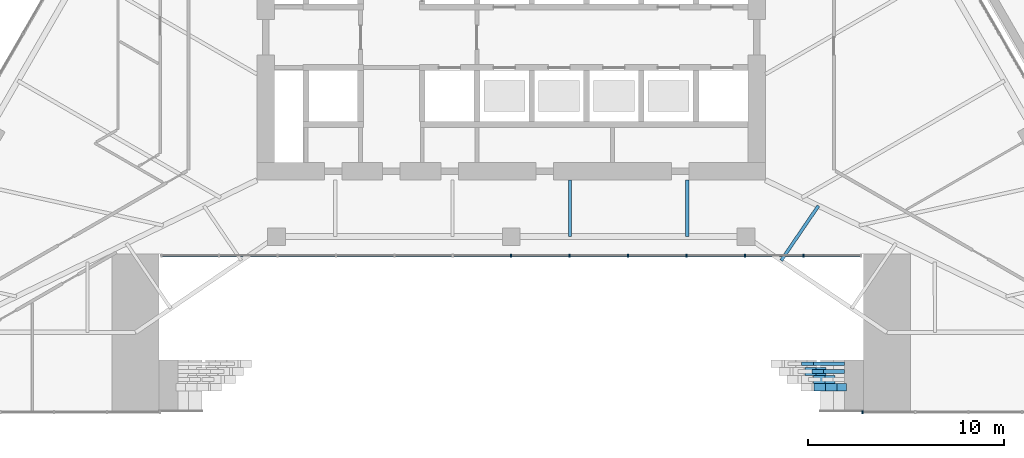
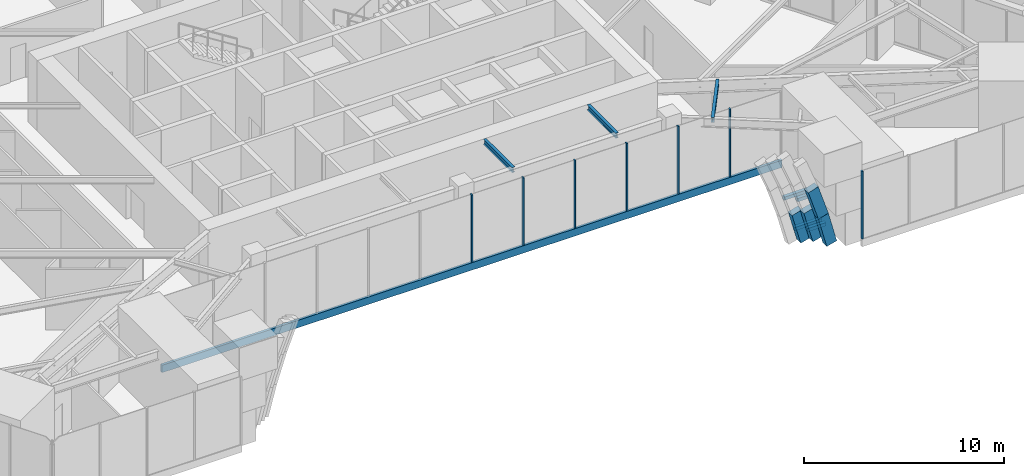
# One storey, part 6 of 29: 12 members, 7 beams, 2 elements without a shape of their own.
"""IFC4 building model written with IfcOpenShell, lengths in metres."""

from ifc_helpers import new_model, si_unit, direction, frame, origin, origin_2d, place, context, subcontext, project, spatial, rectangle, i_section, extrude, material, layer, layer_set, material_profile, profile_set, type_object, element, aggregate, save


model = new_model("IFC4")

# Units and contexts
model_context = context("Model", 3, precision=1e-05, world=origin(), true_north=direction((0.0, 1.0)))
body_context = subcontext(model_context, "Body", "Model", "MODEL_VIEW")
ifc_project = project(units=[si_unit("LENGTHUNIT", "METRE"), si_unit("AREAUNIT", "SQUARE_METRE"), si_unit("VOLUMEUNIT", "CUBIC_METRE"), si_unit("PLANEANGLEUNIT", "RADIAN"), si_unit("MASSUNIT", "GRAM", prefix="KILO")], contexts=[model_context])

# Site, building, storey
site_placement = place(None, origin())
site = spatial("IfcSite", under=ifc_project, at=site_placement, CompositionType="ELEMENT")
building_placement = place(site_placement, origin())
building = spatial("IfcBuilding", under=site, at=building_placement, Name="Firuza Gate Tower and Library", CompositionType="ELEMENT")
storey_placement = place(building_placement, frame((0.0, 0.0, 8.0)))
storey = spatial("IfcBuildingStorey", under=building, at=storey_placement, Name="L01", CompositionType="ELEMENT", Elevation=8.0)

# Members
ifc_material_1 = material(Name="Concrete C60/75", Category="concrete")
ifc_material_profile_1 = material_profile(ifc_material_1, rectangle(XDim=0.39990234375, YDim=0.60009765625, at=origin_2d()))
ifc_profile_set_1 = profile_set([ifc_material_profile_1], Name="Concrete C60/75")
member_type_1 = type_object("IfcMemberType", Name="Arch rib 600x400", PredefinedType="USERDEFINED", material=ifc_profile_set_1)
member_1_placement = place(storey_placement, frame((90.773193359375, 55.415283203125, 3.2431640625), z_axis=(0.306240860809, 0.0, -0.951954061481), x_axis=(0.0, 1.0, 0.0)))
element("IfcMember", 1, at=member_1_placement, inside=storey, type_object=member_type_1, Name="Arch rib 1.33", ObjectType="ARCH RIB", PredefinedType="USERDEFINED", context=body_context, shape_type="SweptSolid", body=[
    extrude(rectangle(XDim=0.39990234375, YDim=0.60009765625, at=origin_2d()), origin(), (0.0, 0.0, 1.0), 1.91015625),
])
member_2_placement = place(storey_placement, frame((91.358154296875, 55.415283203125, 1.4248046875), z_axis=(0.25181823539, 0.0, -0.967774548294), x_axis=(0.0, 1.0, 0.0)))
element("IfcMember", 2, at=member_2_placement, inside=storey, type_object=member_type_1, Name="Arch rib 1.34", ObjectType="ARCH RIB", PredefinedType="USERDEFINED", context=body_context, shape_type="SweptSolid", body=[
    extrude(rectangle(XDim=0.39990234375, YDim=0.60009765625, at=origin_2d()), origin(), (0.0, 0.0, 1.0), 1.909912109375),
])
member_3_placement = place(storey_placement, frame((90.750732421875, 55.8154296875, 1.730224609375), z_axis=(0.262991856839, 0.0, -0.964798053085), x_axis=(0.0, 1.0, 0.0)))
element("IfcMember", 3, at=member_3_placement, inside=storey, type_object=member_type_1, Name="Arch rib 2.32", ObjectType="ARCH RIB", PredefinedType="USERDEFINED", context=body_context, shape_type="SweptSolid", body=[
    extrude(rectangle(XDim=0.39990234375, YDim=0.60009765625, at=origin_2d()), origin(), (0.0, 0.0, 1.0), 1.974609375),
])
member_4_placement = place(storey_placement, frame((90.295166015625, 56.21533203125, 1.52734375), z_axis=(0.2604762875, 0.0, -0.965480245085), x_axis=(0.0, 1.0, 0.0)))
element("IfcMember", 4, at=member_4_placement, inside=storey, type_object=member_type_1, Name="Arch rib 3.32", ObjectType="ARCH RIB", PredefinedType="USERDEFINED", context=body_context, shape_type="SweptSolid", body=[
    extrude(rectangle(XDim=0.39990234375, YDim=0.60009765625, at=origin_2d()), origin(), (0.0, 0.0, 1.0), 1.9326171875),
])

# Beams
ifc_material_2 = material(Name="Concrete C60/75", Category="concrete")
ifc_material_profile_2 = material_profile(ifc_material_2, rectangle(XDim=0.199951171875, YDim=0.199951171875, at=origin_2d()))
ifc_profile_set_2 = profile_set([ifc_material_profile_2], Name="Concrete C60/75")
beam_type_1 = type_object("IfcBeamType", Name="Arch rib bracket 200x200", PredefinedType="BEAM", material=ifc_profile_set_2)
beam_1_placement = place(storey_placement, frame((91.4853515625, 56.21533203125, 2.18408203125), z_axis=(-1.0, 0.0, 0.0), x_axis=(0.0, -1.0, 0.0)))
element("IfcBeam", 5, at=beam_1_placement, inside=storey, type_object=beam_type_1, Name="Arch rib bracket 3.31", PredefinedType="BEAM", context=body_context, shape_type="SweptSolid", body=[
    extrude(rectangle(XDim=0.199951171875, YDim=0.199951171875, at=origin_2d()), origin(), (0.0, 0.0, 1.0), 1.10302734375),
])
beam_2_placement = place(storey_placement, frame((92.037109375, 56.21533203125, 0.15283203125), z_axis=(-1.0, 0.0, 0.0), x_axis=(0.0, -1.0, 0.0)))
element("IfcBeam", 6, at=beam_2_placement, inside=storey, type_object=beam_type_1, Name="Arch rib bracket 3.32", PredefinedType="BEAM", context=body_context, shape_type="SweptSolid", body=[
    extrude(rectangle(XDim=0.199951171875, YDim=0.199951171875, at=origin_2d()), origin(), (0.0, 0.0, 1.0), 1.0703125),
])
beam_3_placement = place(storey_placement, frame((91.4853515625, 56.615478515625, 2.222900390625), z_axis=(-1.0, 0.0, 0.0), x_axis=(0.0, -1.0, 0.0)))
element("IfcBeam", 7, at=beam_3_placement, inside=storey, type_object=beam_type_1, Name="Arch rib bracket 4.31", PredefinedType="BEAM", context=body_context, shape_type="SweptSolid", body=[
    extrude(rectangle(XDim=0.199951171875, YDim=0.199951171875, at=origin_2d()), origin(), (0.0, 0.0, 1.0), 1.6357421875),
])
beam_4_placement = place(storey_placement, frame((92.037109375, 56.615478515625, 0.15234375), z_axis=(-1.0, 0.0, 0.0), x_axis=(0.0, -1.0, 0.0)))
element("IfcBeam", 8, at=beam_4_placement, inside=storey, type_object=beam_type_1, Name="Arch rib bracket 4.32", PredefinedType="BEAM", context=body_context, shape_type="SweptSolid", body=[
    extrude(rectangle(XDim=0.199951171875, YDim=0.199951171875, at=origin_2d()), origin(), (0.0, 0.0, 1.0), 1.583984375),
])

# Curtain wall, members
ifc_material_3 = material(Name="Aluminium 6063-T6", Category="aluminium")
ifc_layer_1 = layer(ifc_material_3, 0.14990234375)
ifc_layer_set_1 = layer_set([ifc_layer_1], Name="Stick curtain wall, gate lobby")
curtain_wall_type_1 = type_object("IfcCurtainWallType", Name="Stick curtain wall, gate lobby", PredefinedType="NOTDEFINED", material=ifc_layer_set_1)
placement = place(storey_placement, origin())
curtain_wall_1 = element("IfcCurtainWall", 9, at=placement, inside=storey, type_object=curtain_wall_type_1, Name="CW7 L01 gate lobby", PredefinedType="NOTDEFINED")
ifc_material_4 = material(Name="Aluminium 6063-T6", Category="aluminium")
ifc_material_profile_3 = material_profile(ifc_material_4, rectangle(XDim=0.14990234375, YDim=0.080078125, at=origin_2d()))
ifc_profile_set_3 = profile_set([ifc_material_profile_3], Name="Aluminium 6063-T6")
member_type_2 = type_object("IfcMemberType", Name="Curtain wall mullion 80x150", PredefinedType="MULLION", material=ifc_profile_set_3)
member_5_placement = place(storey_placement, frame((75.0, 62.140380859375, 0.14990234375), z_axis=(0.0, 0.0, 1.0), x_axis=(0.0, 1.0, 0.0)))
member_5 = element("IfcMember", 10, at=member_5_placement, type_object=member_type_2, Name="Mullion", PredefinedType="MULLION", context=body_context, shape_type="SweptSolid", body=[
    extrude(rectangle(XDim=0.14990234375, YDim=0.080078125, at=origin_2d()), origin(), (0.0, 0.0, 1.0), 4.150146484375),
])
member_6_placement = place(storey_placement, frame((77.987548828125, 62.140380859375, 0.14990234375), z_axis=(0.0, 0.0, 1.0), x_axis=(0.0, 1.0, 0.0)))
member_6 = element("IfcMember", 11, at=member_6_placement, type_object=member_type_2, Name="Mullion", PredefinedType="MULLION", context=body_context, shape_type="SweptSolid", body=[
    extrude(rectangle(XDim=0.14990234375, YDim=0.080078125, at=origin_2d()), origin(), (0.0, 0.0, 1.0), 4.150146484375),
])
member_7_placement = place(storey_placement, frame((80.97509765625, 62.140380859375, 0.14990234375), z_axis=(0.0, 0.0, 1.0), x_axis=(0.0, 1.0, 0.0)))
member_7 = element("IfcMember", 12, at=member_7_placement, type_object=member_type_2, Name="Mullion", PredefinedType="MULLION", context=body_context, shape_type="SweptSolid", body=[
    extrude(rectangle(XDim=0.14990234375, YDim=0.080078125, at=origin_2d()), origin(), (0.0, 0.0, 1.0), 4.150146484375),
])
member_8_placement = place(storey_placement, frame((83.96240234375, 62.140380859375, 0.14990234375), z_axis=(0.0, 0.0, 1.0), x_axis=(0.0, 1.0, 0.0)))
member_8 = element("IfcMember", 13, at=member_8_placement, type_object=member_type_2, Name="Mullion", PredefinedType="MULLION", context=body_context, shape_type="SweptSolid", body=[
    extrude(rectangle(XDim=0.14990234375, YDim=0.080078125, at=origin_2d()), origin(), (0.0, 0.0, 1.0), 4.150146484375),
])
member_9_placement = place(storey_placement, frame((86.949951171875, 62.140380859375, 0.14990234375), z_axis=(0.0, 0.0, 1.0), x_axis=(0.0, 1.0, 0.0)))
member_9 = element("IfcMember", 14, at=member_9_placement, type_object=member_type_2, Name="Mullion", PredefinedType="MULLION", context=body_context, shape_type="SweptSolid", body=[
    extrude(rectangle(XDim=0.14990234375, YDim=0.080078125, at=origin_2d()), origin(), (0.0, 0.0, 1.0), 4.150146484375),
])
member_10_placement = place(storey_placement, frame((89.9375, 62.140380859375, 0.14990234375), z_axis=(0.0, 0.0, 1.0), x_axis=(0.0, 1.0, 0.0)))
member_10 = element("IfcMember", 15, at=member_10_placement, type_object=member_type_2, Name="Mullion", PredefinedType="MULLION", context=body_context, shape_type="SweptSolid", body=[
    extrude(rectangle(XDim=0.14990234375, YDim=0.080078125, at=origin_2d()), origin(), (0.0, 0.0, 1.0), 4.150146484375),
])

# Curtain wall, member
ifc_material_5 = material(Name="Aluminium 6063-T6", Category="aluminium")
ifc_layer_2 = layer(ifc_material_5, 0.14990234375)
ifc_layer_set_2 = layer_set([ifc_layer_2], Name="Stick curtain wall, podium")
curtain_wall_type_2 = type_object("IfcCurtainWallType", Name="Stick curtain wall, podium", PredefinedType="NOTDEFINED", material=ifc_layer_set_2)
curtain_wall_2 = element("IfcCurtainWall", 16, at=placement, inside=storey, type_object=curtain_wall_type_2, Name="CW5 L01 S", PredefinedType="NOTDEFINED")
member_11_placement = place(storey_placement, frame((92.965087890625, 54.140380859375, 0.14990234375), z_axis=(0.0, 0.0, 1.0), x_axis=(0.0, 1.0, 0.0)))
member_11 = element("IfcMember", 17, at=member_11_placement, type_object=member_type_2, Name="Mullion", PredefinedType="MULLION", context=body_context, shape_type="SweptSolid", body=[
    extrude(rectangle(XDim=0.14990234375, YDim=0.080078125, at=origin_2d()), origin(), (0.0, 0.0, 1.0), 4.150146484375),
])
aggregate(curtain_wall_2, [member_11])

# Member
ifc_material_6 = material(Name="Aluminium 6063-T6", Category="aluminium")
ifc_material_profile_4 = material_profile(ifc_material_6, rectangle(XDim=0.14990234375, YDim=0.449951171875, at=origin_2d()))
ifc_profile_set_4 = profile_set([ifc_material_profile_4], Name="Aluminium 6063-T6")
member_type_3 = type_object("IfcMemberType", Name="Curtain wall transom 450x150", PredefinedType="USERDEFINED", material=ifc_profile_set_4)
member_12_placement = place(storey_placement, frame((57.074951171875, 62.140380859375, -0.074951171875), z_axis=(1.0, 0.0, 0.0), x_axis=(0.0, 1.0, 0.0)))
member_12 = element("IfcMember", 18, at=member_12_placement, type_object=member_type_3, Name="Transom", ObjectType="TRANSOM", PredefinedType="USERDEFINED", context=body_context, shape_type="SweptSolid", body=[
    extrude(rectangle(XDim=0.14990234375, YDim=0.449951171875, at=origin_2d()), origin(), (0.0, 0.0, 1.0), 35.85009765625),
])

aggregate(curtain_wall_1, [member_5, member_6, member_7, member_8, member_9, member_10, member_12])

# Beams
ifc_material_7 = material(Name="Steel S355", Category="steel")
ifc_material_profile_5 = material_profile(ifc_material_7, i_section(OverallWidth=0.1650390625, OverallDepth=0.31005859375, WebThickness=0.005859375, FlangeThickness=0.009765625, at=origin_2d()))
ifc_profile_set_5 = profile_set([ifc_material_profile_5], Name="Steel S355")
beam_type_2 = type_object("IfcBeamType", Name="W310x39 Floor beam", PredefinedType="JOIST", material=ifc_profile_set_5)
for number, where, z_axis, x_axis, name in (
    (19, (78.0, 63.115478515625, 4.14501953125), (0.0, 1.0, 0.0), (-1.0, 0.0, 0.0), "Floor beam L01 s32"),
    (20, (84.0, 63.115478515625, 4.14501953125), (0.0, 1.0, 0.0), (-1.0, 0.0, 0.0), "Floor beam L01 s33"),
):
    element("IfcBeam", number, at=place(storey_placement, frame(where, z_axis=z_axis, x_axis=x_axis)), inside=storey, type_object=beam_type_2, Name=name, PredefinedType="JOIST", context=body_context, shape_type="SweptSolid", body=[
        extrude(i_section(OverallWidth=0.1650390625, OverallDepth=0.31005859375, WebThickness=0.005859375, FlangeThickness=0.009765625, at=origin_2d()), origin(), (0.0, 0.0, 1.0), 2.884521484375),
    ])
beam_5_placement = place(storey_placement, frame((88.800048828125, 61.890380859375, 4.14501953125), z_axis=(0.562593933168, 0.826733370781, 0.0), x_axis=(-0.826733370781, 0.562593933168, 0.0)))
element("IfcBeam", 21, at=beam_5_placement, inside=storey, type_object=beam_type_2, Name="Floor beam L01 s40", PredefinedType="JOIST", context=body_context, shape_type="SweptSolid", body=[
    extrude(i_section(OverallWidth=0.1650390625, OverallDepth=0.31005859375, WebThickness=0.005859375, FlangeThickness=0.009765625, at=origin_2d()), origin(), (0.0, 0.0, 1.0), 3.386474609375),
])

save(model, "model.ifc")
